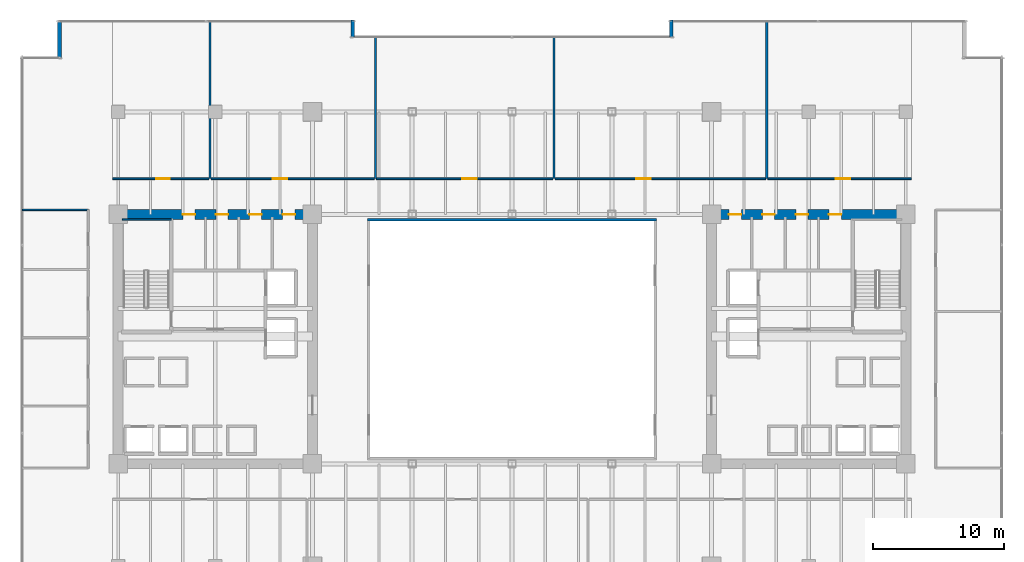
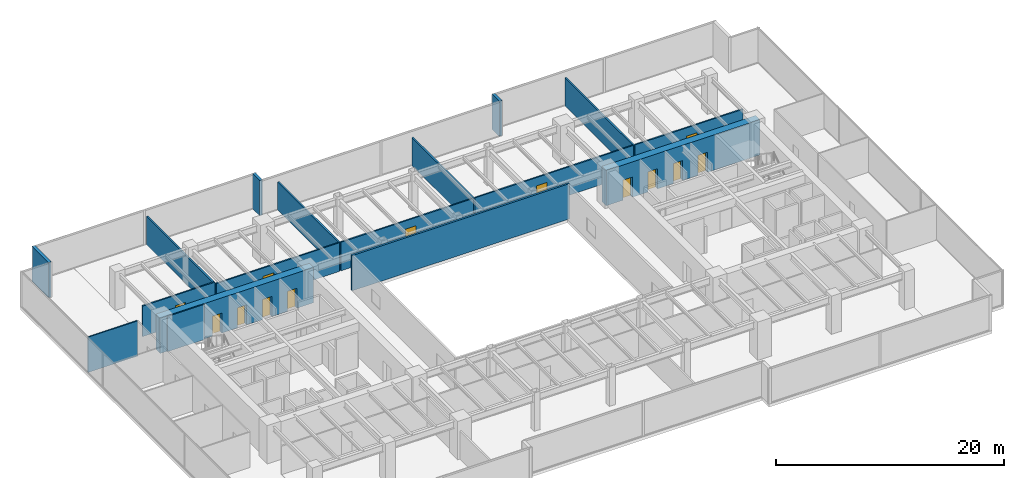
# One storey, part 31 of 36: 17 walls, 13 doors, 13 openings.
"""IFC4 building model written with IfcOpenShell, lengths in metres."""

from ifc_helpers import new_model, si_unit, direction, frame, frame_2d, origin, place, context, subcontext, project, spatial, rectangle, extrude, source, transform, mapped, material, layer, layer_set, type_object, type_shapes, element, fill, save


model = new_model("IFC4")

# Units and contexts
model_context = context("Model", 3, precision=1e-05, world=origin(), true_north=direction((0.0, 1.0)))
body_context = subcontext(model_context, "Body", "Model", "MODEL_VIEW")
ifc_project = project(units=[si_unit("LENGTHUNIT", "METRE"), si_unit("AREAUNIT", "SQUARE_METRE"), si_unit("VOLUMEUNIT", "CUBIC_METRE"), si_unit("PLANEANGLEUNIT", "RADIAN"), si_unit("MASSUNIT", "GRAM", prefix="KILO")], contexts=[model_context])

# Site, building, storey
site_placement = place(None, origin())
site = spatial("IfcSite", under=ifc_project, at=site_placement, CompositionType="ELEMENT")
building_placement = place(site_placement, origin())
building = spatial("IfcBuilding", under=site, at=building_placement, Name="Haelvirn Gate Laboratories", CompositionType="ELEMENT")
storey_placement = place(building_placement, frame((0.0, 0.0, 49.800048828125)))
storey = spatial("IfcBuildingStorey", under=building, at=storey_placement, Name="L12", CompositionType="ELEMENT", Elevation=49.800048828125)

# Walls
ifc_material_1 = material(Name="Thermally-broken bronze aluminium rainscreen & mineral wool", Category="aluminium")
ifc_layer_1 = layer(ifc_material_1, 0.280029296875, Name="EW-TERR-280")
ifc_layer_set_1 = layer_set([ifc_layer_1], Name="Thermally-broken bronze aluminium rainscreen & mineral wool")
wall_type_1 = type_object("IfcWallType", Name="EW-TERR-280", PredefinedType="STANDARD", material=ifc_layer_set_1)
for number, where, z_axis, x_axis, name in (
    (1, (49.5400390625, 48.60009765625, 0.0), (0.0, 0.0, 1.0), (0.0, -1.0, 0.0), "L12 Atrium Recess Bronze Return Wall 11"),
    (2, (25.260009765625, 47.31201171875, 0.0), (0.0, 0.0, 1.0), (0.0, 1.0, 0.0), "L12 Atrium Recess Bronze Return Wall 13"),
):
    element("IfcWall", number, at=place(storey_placement, frame(where, z_axis=z_axis, x_axis=x_axis)), inside=storey, type_object=wall_type_1, Name=name, PredefinedType="STANDARD", context=body_context, shape_type="SweptSolid", body=[
        extrude(rectangle(XDim=1.2880859375, YDim=0.280029296875, at=frame_2d((0.64404296875, 0.0))), origin(), (0.0, 0.0, 1.0), 3.780029296875),
    ])
wall_1_placement = place(storey_placement, frame((2.93994140625, 48.60009765625, 0.0), z_axis=(0.0, 0.0, 1.0), x_axis=(0.0, -1.0, 0.0)))
element("IfcWall", 3, at=wall_1_placement, inside=storey, type_object=wall_type_1, Name="L12 Atrium Recess Bronze Return Wall 15", PredefinedType="STANDARD", context=body_context, shape_type="SweptSolid", body=[
    extrude(rectangle(XDim=2.88818359375, YDim=0.280029296875, at=frame_2d((1.444091796875, 0.0))), origin(), (0.0, 0.0, 1.0), 3.780029296875),
])
ifc_material_2 = material(Name="Double-layer acoustic gypsum laboratory partition", Category="gypsum")
ifc_layer_2 = layer(ifc_material_2, 0.159912109375, Name="IW-ACOUST-160")
ifc_layer_set_2 = layer_set([ifc_layer_2], Name="Double-layer acoustic gypsum laboratory partition")
wall_type_2 = type_object("IfcWallType", Name="IW-ACOUST-160", PredefinedType="PARTITIONING", material=ifc_layer_set_2)
wall_2_placement = place(storey_placement, frame((14.39990234375, 36.510009765625, 0.0), z_axis=(0.0, 0.0, 1.0), x_axis=(0.0, 1.0, 0.0)))
element("IfcWall", 4, at=wall_2_placement, inside=storey, type_object=wall_type_2, Name="L12 Interior Wall IW-L12-NDIV-01", PredefinedType="PARTITIONING", context=body_context, shape_type="SweptSolid", body=[
    extrude(rectangle(XDim=11.97998046875, YDim=0.159912109375, at=frame_2d((5.989990234375, 0.0))), origin(), (0.0, 0.0, 1.0), 3.014892578125),
])
for number, where, z_axis, x_axis, name in (
    (5, (27.0, 36.510009765625, 0.0), (0.0, 0.0, 1.0), (0.0, 1.0, 0.0), "L12 Interior Wall IW-L12-NDIV-02"),
    (6, (40.60009765625, 36.510009765625, 0.0), (0.0, 0.0, 1.0), (0.0, 1.0, 0.0), "L12 Interior Wall IW-L12-NDIV-03"),
):
    element("IfcWall", number, at=place(storey_placement, frame(where, z_axis=z_axis, x_axis=x_axis)), inside=storey, type_object=wall_type_2, Name=name, PredefinedType="PARTITIONING", context=body_context, shape_type="SweptSolid", body=[
        extrude(rectangle(XDim=10.780029296875, YDim=0.159912109375, at=frame_2d((5.39013671875, 0.0))), origin(), (0.0, 0.0, 1.0), 3.014892578125),
    ])
wall_3_placement = place(storey_placement, frame((56.800048828125, 36.510009765625, 0.0), z_axis=(0.0, 0.0, 1.0), x_axis=(0.0, 1.0, 0.0)))
element("IfcWall", 7, at=wall_3_placement, inside=storey, type_object=wall_type_2, Name="L12 Interior Wall IW-L12-NDIV-04", PredefinedType="PARTITIONING", context=body_context, shape_type="SweptSolid", body=[
    extrude(rectangle(XDim=11.97998046875, YDim=0.159912109375, at=frame_2d((5.989990234375, 0.0))), origin(), (0.0, 0.0, 1.0), 3.014892578125),
])
ifc_material_3 = material(Name="Tempered fire-rated borosilicate glass & anodised aluminium", Category="aluminium")
ifc_layer_3 = layer(ifc_material_3, 0.195068359375, Name="IW-GLAZ-200")
ifc_layer_set_3 = layer_set([ifc_layer_3], Name="Tempered fire-rated borosilicate glass & anodised aluminium")
wall_type_3 = type_object("IfcWallType", Name="IW-GLAZ-200", PredefinedType="SOLIDWALL", material=ifc_layer_set_3)
wall_4_placement = place(storey_placement, frame((26.39990234375, 33.39990234375, 0.0), z_axis=(0.0, 0.0, 1.0), x_axis=(1.0, 0.0, 0.0)))
element("IfcWall", 8, at=wall_4_placement, inside=storey, type_object=wall_type_3, Name="L12 Interior Wall IW-L12-ATRIUM-N", PredefinedType="SOLIDWALL", context=body_context, shape_type="SweptSolid", body=[
    extrude(rectangle(XDim=22.0, YDim=0.195068359375, at=frame_2d((11.0, 0.0))), origin(), (0.0, 0.0, 1.0), 3.780029296875),
])
ifc_material_4 = material(Name="Lightweight acoustic gypsum board partition", Category="gypsum")
ifc_layer_4 = layer(ifc_material_4, 0.1201171875, Name="IW-PART-120")
ifc_layer_set_4 = layer_set([ifc_layer_4], Name="Lightweight acoustic gypsum board partition")
wall_type_4 = type_object("IfcWallType", Name="IW-PART-120", PredefinedType="PARTITIONING", material=ifc_layer_set_4)
wall_5_placement = place(storey_placement, frame((0.110107421875, 34.135009765625, 0.0), z_axis=(0.0, 0.0, 1.0), x_axis=(1.0, 0.0, 0.0)))
element("IfcWall", 9, at=wall_5_placement, inside=storey, type_object=wall_type_4, Name="L12 Interior Wall IW-L12-WCAP-N", PredefinedType="PARTITIONING", context=body_context, shape_type="SweptSolid", body=[
    extrude(rectangle(XDim=5.019775390625, YDim=0.1201171875, at=frame_2d((2.509765625, 0.0))), origin(), (0.0, 0.0, 1.0), 3.780029296875),
])

# Wall, opening, door
ifc_material_5 = material(Name="Acoustic mineral-wool gypsum board partition", Category="gypsum")
ifc_layer_5 = layer(ifc_material_5, 0.139892578125, Name="IW-PART-140")
ifc_layer_set_5 = layer_set([ifc_layer_5], Name="Acoustic mineral-wool gypsum board partition")
wall_type_5 = type_object("IfcWallType", Name="IW-PART-140", PredefinedType="PARTITIONING", material=ifc_layer_set_5)
wall_6_placement = place(storey_placement, frame((6.97998046875, 36.510009765625, 0.0), z_axis=(0.0, 0.0, 1.0), x_axis=(1.0, 0.0, 0.0)))
wall_6 = element("IfcWall", 10, at=wall_6_placement, inside=storey, type_object=wall_type_5, Name="L12 Interior Wall IW-L12-NCORR-01", PredefinedType="PARTITIONING", context=body_context, shape_type="SweptSolid", body=[
    extrude(rectangle(XDim=7.340087890625, YDim=0.139892578125, at=frame_2d((3.669921875, 0.0))), origin(), (0.0, 0.0, 1.0), 3.264892578125),
])
opening_1_placement = place(wall_6_placement, frame((3.339111328125, 0.0, 0.0)))
opening_1 = element("IfcOpeningElement", 11, at=opening_1_placement, cuts=wall_6, Name="Opening D2", PredefinedType="OPENING", context=body_context, shape_type="SweptSolid", body=[
    extrude(rectangle(XDim=1.0, YDim=2.14990234375, at=frame_2d((0.5, 1.074951171875))), frame((0.0, 0.080078125, 0.0), z_axis=(0.0, -1.0, 0.0), x_axis=(1.0, 0.0, 0.0)), (0.0, 0.0, 1.0), 0.159912109375),
])
ifc_material_6 = material(Name="Acoustic solid-core timber suite door", Category="wood")
door_type_1 = type_object("IfcDoorType", Name="DR-INT-1000", OperationType="NOTDEFINED", PredefinedType="DOOR", material=ifc_material_6)
shared_shape_1 = source(origin(), body_context, "Body", "SweptSolid", [
    extrude(rectangle(XDim=1.0, YDim=2.14990234375, at=frame_2d((0.5, 1.074951171875))), frame((0.0, 0.02490234375, 0.0), z_axis=(0.0, -1.0, 0.0), x_axis=(1.0, 0.0, 0.0)), (0.0, 0.0, 1.0), 0.050048828125),
])
type_shapes(door_type_1, [shared_shape_1])
door_1_placement = place(opening_1_placement, origin())
door_1 = element("IfcDoor", 12, at=door_1_placement, inside=storey, type_object=door_type_1, Name="L12 Floor Hydration & Tea Servery Door N1", OperationType="SINGLE_SWING_RIGHT", OverallHeight=2.14990234375, OverallWidth=1.0, PredefinedType="DOOR", context=body_context, shape_type="MappedRepresentation", body=[
    mapped(shared_shape_1, transform((0.0, 0.0, 0.0), scale=1.0)),
])
fill(opening_1, door_1)

wall_7_placement = place(storey_placement, frame((14.47998046875, 36.510009765625, 0.0), z_axis=(0.0, 0.0, 1.0), x_axis=(1.0, 0.0, 0.0)))
wall_7 = element("IfcWall", 13, at=wall_7_placement, inside=storey, type_object=wall_type_5, Name="L12 Interior Wall IW-L12-NCORR-02", PredefinedType="PARTITIONING", context=body_context, shape_type="SweptSolid", body=[
    extrude(rectangle(XDim=12.43994140625, YDim=0.139892578125, at=frame_2d((6.219970703125, 0.0))), origin(), (0.0, 0.0, 1.0), 3.06494140625),
])
opening_2_placement = place(wall_7_placement, frame((4.71240234375, 0.0, 0.0)))
opening_2 = element("IfcOpeningElement", 14, at=opening_2_placement, cuts=wall_7, Name="Opening D1", PredefinedType="OPENING", context=body_context, shape_type="SweptSolid", body=[
    extrude(rectangle(XDim=1.10009765625, YDim=2.179931640625, at=frame_2d((0.550048828125, 1.08984375))), frame((0.0, 0.080078125, 0.0), z_axis=(0.0, -1.0, 0.0), x_axis=(1.0, 0.0, 0.0)), (0.0, 0.0, 1.0), 0.159912109375),
])
ifc_material_7 = material(Name="Vision-panel acoustic solid-core timber lab door", Category="wood")
door_type_2 = type_object("IfcDoorType", Name="DR-LAB-1100", OperationType="NOTDEFINED", PredefinedType="DOOR", material=ifc_material_7)
shared_shape_2 = source(origin(), body_context, "Body", "SweptSolid", [
    extrude(rectangle(XDim=1.10009765625, YDim=2.179931640625, at=frame_2d((0.550048828125, 1.08984375))), frame((0.0, 0.02490234375, 0.0), z_axis=(0.0, -1.0, 0.0), x_axis=(1.0, 0.0, 0.0)), (0.0, 0.0, 1.0), 0.050048828125),
])
type_shapes(door_type_2, [shared_shape_2])
door_2_placement = place(opening_2_placement, origin())
door_2 = element("IfcDoor", 15, at=door_2_placement, inside=storey, type_object=door_type_2, Name="L12 Occupational Biosafety Clinic Door N2", OperationType="SINGLE_SWING_LEFT", OverallHeight=2.179931640625, OverallWidth=1.10009765625, PredefinedType="DOOR", context=body_context, shape_type="MappedRepresentation", body=[
    mapped(shared_shape_2, transform((0.0, 0.0, 0.0), scale=1.0)),
])
fill(opening_2, door_2)

wall_8_placement = place(storey_placement, frame((27.080078125, 36.510009765625, 0.0), z_axis=(0.0, 0.0, 1.0), x_axis=(1.0, 0.0, 0.0)))
wall_8 = element("IfcWall", 16, at=wall_8_placement, inside=storey, type_object=wall_type_5, Name="L12 Interior Wall IW-L12-NCORR-03", PredefinedType="PARTITIONING", context=body_context, shape_type="SweptSolid", body=[
    extrude(rectangle(XDim=13.43994140625, YDim=0.139892578125, at=frame_2d((6.719970703125, 0.0))), origin(), (0.0, 0.0, 1.0), 3.06494140625),
])
opening_3_placement = place(wall_8_placement, frame((6.519287109375, 0.0, 0.0)))
opening_3 = element("IfcOpeningElement", 17, at=opening_3_placement, cuts=wall_8, Name="Opening D1", PredefinedType="OPENING", context=body_context, shape_type="SweptSolid", body=[
    extrude(rectangle(XDim=1.10009765625, YDim=2.179931640625, at=frame_2d((0.550048828125, 1.08984375))), frame((0.0, 0.080078125, 0.0), z_axis=(0.0, -1.0, 0.0), x_axis=(1.0, 0.0, 0.0)), (0.0, 0.0, 1.0), 0.159912109375),
])
door_3_placement = place(opening_3_placement, origin())
door_3 = element("IfcDoor", 18, at=door_3_placement, inside=storey, type_object=door_type_2, Name="L12 Laser-Safety Consult Room Door N3", OperationType="SINGLE_SWING_RIGHT", OverallHeight=2.179931640625, OverallWidth=1.10009765625, PredefinedType="DOOR", context=body_context, shape_type="MappedRepresentation", body=[
    mapped(shared_shape_2, transform((0.0, 0.0, 0.0), scale=1.0)),
])
fill(opening_3, door_3)

wall_9_placement = place(storey_placement, frame((40.679931640625, 36.510009765625, 0.0), z_axis=(0.0, 0.0, 1.0), x_axis=(1.0, 0.0, 0.0)))
wall_9 = element("IfcWall", 19, at=wall_9_placement, inside=storey, type_object=wall_type_5, Name="L12 Interior Wall IW-L12-NCORR-04", PredefinedType="PARTITIONING", context=body_context, shape_type="SweptSolid", body=[
    extrude(rectangle(XDim=16.0400390625, YDim=0.139892578125, at=frame_2d((8.02001953125, 0.0))), origin(), (0.0, 0.0, 1.0), 3.06494140625),
])
opening_4_placement = place(wall_9_placement, frame((6.1884765625, 0.0, 0.0)))
opening_4 = element("IfcOpeningElement", 20, at=opening_4_placement, cuts=wall_9, Name="Opening D1", PredefinedType="OPENING", context=body_context, shape_type="SweptSolid", body=[
    extrude(rectangle(XDim=1.10009765625, YDim=2.179931640625, at=frame_2d((0.550048828125, 1.08984375))), frame((0.0, 0.080078125, 0.0), z_axis=(0.0, -1.0, 0.0), x_axis=(1.0, 0.0, 0.0)), (0.0, 0.0, 1.0), 0.159912109375),
])
door_4_placement = place(opening_4_placement, origin())
door_4 = element("IfcDoor", 21, at=door_4_placement, inside=storey, type_object=door_type_2, Name="L12 Translational Data Office Door N4", OperationType="SINGLE_SWING_LEFT", OverallHeight=2.179931640625, OverallWidth=1.10009765625, PredefinedType="DOOR", context=body_context, shape_type="MappedRepresentation", body=[
    mapped(shared_shape_2, transform((0.0, 0.0, 0.0), scale=1.0)),
])
fill(opening_4, door_4)

wall_10_placement = place(storey_placement, frame((56.8798828125, 36.510009765625, 0.0), z_axis=(0.0, 0.0, 1.0), x_axis=(1.0, 0.0, 0.0)))
wall_10 = element("IfcWall", 22, at=wall_10_placement, inside=storey, type_object=wall_type_5, Name="L12 Interior Wall IW-L12-NCORR-05", PredefinedType="PARTITIONING", context=body_context, shape_type="SweptSolid", body=[
    extrude(rectangle(XDim=10.940185546875, YDim=0.139892578125, at=frame_2d((5.47021484375, 0.0))), origin(), (0.0, 0.0, 1.0), 3.06494140625),
])
opening_5_placement = place(wall_10_placement, frame((5.194091796875, 0.0, 0.0)))
opening_5 = element("IfcOpeningElement", 23, at=opening_5_placement, cuts=wall_10, Name="Opening D1", PredefinedType="OPENING", context=body_context, shape_type="SweptSolid", body=[
    extrude(rectangle(XDim=1.10009765625, YDim=2.179931640625, at=frame_2d((0.550048828125, 1.08984375))), frame((0.0, 0.080078125, 0.0), z_axis=(0.0, -1.0, 0.0), x_axis=(1.0, 0.0, 0.0)), (0.0, 0.0, 1.0), 0.159912109375),
])
door_5_placement = place(opening_5_placement, origin())
door_5 = element("IfcDoor", 24, at=door_5_placement, inside=storey, type_object=door_type_2, Name="L12 Computational Write-Up Office Door N5", OperationType="SINGLE_SWING_RIGHT", OverallHeight=2.179931640625, OverallWidth=1.10009765625, PredefinedType="DOOR", context=body_context, shape_type="MappedRepresentation", body=[
    mapped(shared_shape_2, transform((0.0, 0.0, 0.0), scale=1.0)),
])
fill(opening_5, door_5)

# Wall, openings, doors
ifc_material_8 = material(Name="Concrete C70/85", Category="concrete")
ifc_layer_6 = layer(ifc_material_8, 0.75, Name="SW-CORE-750")
ifc_layer_set_6 = layer_set([ifc_layer_6], Name="Concrete C70/85")
wall_type_6 = type_object("IfcWallType", Name="SW-CORE-750", PredefinedType="SHEAR", material=ifc_layer_set_6)
wall_11_placement = place(storey_placement, frame((7.02490234375, 33.800048828125, 0.0), z_axis=(0.0, 0.0, 1.0), x_axis=(1.0, 0.0, 0.0)))
wall_11 = element("IfcWall", 25, at=wall_11_placement, inside=storey, type_object=wall_type_6, Name="L12 W Core Shear Wall N", PredefinedType="SHEAR", context=body_context, shape_type="SweptSolid", body=[
    extrude(rectangle(XDim=15.550048828125, YDim=0.75, at=frame_2d((7.77490234375, 0.0))), origin(), (0.0, 0.0, 1.0), 3.780029296875),
])
opening_6_placement = place(wall_11_placement, frame((5.300048828125, 0.0, 0.0)))
opening_6 = element("IfcOpeningElement", 26, at=opening_6_placement, cuts=wall_11, Name="Opening FD4", PredefinedType="OPENING", context=body_context, shape_type="SweptSolid", body=[
    extrude(rectangle(XDim=0.949951171875, YDim=2.14990234375, at=frame_2d((0.47509765625, 1.074951171875))), frame((0.0, 0.385009765625, 0.0), z_axis=(0.0, -1.0, 0.0), x_axis=(1.0, 0.0, 0.0)), (0.0, 0.0, 1.0), 0.77001953125),
])
opening_7_placement = place(wall_11_placement, frame((7.81494140625, 0.0, 0.0)))
opening_7 = element("IfcOpeningElement", 27, at=opening_7_placement, cuts=wall_11, Name="Opening FD4", PredefinedType="OPENING", context=body_context, shape_type="SweptSolid", body=[
    extrude(rectangle(XDim=0.949951171875, YDim=2.14990234375, at=frame_2d((0.47509765625, 1.074951171875))), frame((0.0, 0.385009765625, 0.0), z_axis=(0.0, -1.0, 0.0), x_axis=(1.0, 0.0, 0.0)), (0.0, 0.0, 1.0), 0.77001953125),
])
opening_8_placement = place(wall_11_placement, frame((10.364990234375, 0.0, 0.0)))
opening_8 = element("IfcOpeningElement", 28, at=opening_8_placement, cuts=wall_11, Name="Opening FD4", PredefinedType="OPENING", context=body_context, shape_type="SweptSolid", body=[
    extrude(rectangle(XDim=0.949951171875, YDim=2.14990234375, at=frame_2d((0.47509765625, 1.074951171875))), frame((0.0, 0.385009765625, 0.0), z_axis=(0.0, -1.0, 0.0), x_axis=(1.0, 0.0, 0.0)), (0.0, 0.0, 1.0), 0.77001953125),
])
opening_9_placement = place(wall_11_placement, frame((12.9150390625, 0.0, 0.0)))
opening_9 = element("IfcOpeningElement", 29, at=opening_9_placement, cuts=wall_11, Name="Opening FD4", PredefinedType="OPENING", context=body_context, shape_type="SweptSolid", body=[
    extrude(rectangle(XDim=0.949951171875, YDim=2.14990234375, at=frame_2d((0.47509765625, 1.074951171875))), frame((0.0, 0.385009765625, 0.0), z_axis=(0.0, -1.0, 0.0), x_axis=(1.0, 0.0, 0.0)), (0.0, 0.0, 1.0), 0.77001953125),
])
ifc_material_9 = material(Name="Fire-rated steel SM355 core service door", Category="steel")
door_type_3 = type_object("IfcDoorType", Name="DR-FD-950", OperationType="NOTDEFINED", PredefinedType="DOOR", material=ifc_material_9)
shared_shape_3 = source(origin(), body_context, "Body", "SweptSolid", [
    extrude(rectangle(XDim=0.949951171875, YDim=2.14990234375, at=frame_2d((0.47509765625, 1.074951171875))), frame((0.0, 0.02490234375, 0.0), z_axis=(0.0, -1.0, 0.0), x_axis=(1.0, 0.0, 0.0)), (0.0, 0.0, 1.0), 0.050048828125),
])
type_shapes(door_type_3, [shared_shape_3])
door_6_placement = place(opening_6_placement, origin())
door_6 = element("IfcDoor", 30, at=door_6_placement, inside=storey, type_object=door_type_3, Name="L12 Male Restroom Fire Door", OperationType="SINGLE_SWING_LEFT", OverallHeight=2.14990234375, OverallWidth=0.949951171875, PredefinedType="DOOR", context=body_context, shape_type="MappedRepresentation", body=[
    mapped(shared_shape_3, transform((0.0, 0.0, 0.0), scale=1.0)),
])
fill(opening_6, door_6)
door_7_placement = place(opening_7_placement, origin())
door_7 = element("IfcDoor", 31, at=door_7_placement, inside=storey, type_object=door_type_3, Name="L12 Female Restroom Fire Door", OperationType="SINGLE_SWING_RIGHT", OverallHeight=2.14990234375, OverallWidth=0.949951171875, PredefinedType="DOOR", context=body_context, shape_type="MappedRepresentation", body=[
    mapped(shared_shape_3, transform((0.0, 0.0, 0.0), scale=1.0)),
])
fill(opening_7, door_7)
door_8_placement = place(opening_8_placement, origin())
door_8 = element("IfcDoor", 32, at=door_8_placement, inside=storey, type_object=door_type_3, Name="L12 Accessible Restroom Fire Door", OperationType="SINGLE_SWING_LEFT", OverallHeight=2.14990234375, OverallWidth=0.949951171875, PredefinedType="DOOR", context=body_context, shape_type="MappedRepresentation", body=[
    mapped(shared_shape_3, transform((0.0, 0.0, 0.0), scale=1.0)),
])
fill(opening_8, door_8)
door_9_placement = place(opening_9_placement, origin())
door_9 = element("IfcDoor", 33, at=door_9_placement, inside=storey, type_object=door_type_3, Name="L12 Decontamination Shower Washroom Fire Door", OperationType="SINGLE_SWING_RIGHT", OverallHeight=2.14990234375, OverallWidth=0.949951171875, PredefinedType="DOOR", context=body_context, shape_type="MappedRepresentation", body=[
    mapped(shared_shape_3, transform((0.0, 0.0, 0.0), scale=1.0)),
])
fill(opening_9, door_9)

wall_12_placement = place(storey_placement, frame((52.22509765625, 33.800048828125, 0.0), z_axis=(0.0, 0.0, 1.0), x_axis=(1.0, 0.0, 0.0)))
wall_12 = element("IfcWall", 34, at=wall_12_placement, inside=storey, type_object=wall_type_6, Name="L12 E Core Shear Wall N", PredefinedType="SHEAR", context=body_context, shape_type="SweptSolid", body=[
    extrude(rectangle(XDim=15.5498046875, YDim=0.75, at=frame_2d((7.77490234375, 0.0))), origin(), (0.0, 0.0, 1.0), 3.780029296875),
])
opening_10_placement = place(wall_12_placement, frame((9.300048828125, 0.0, 0.0)))
opening_10 = element("IfcOpeningElement", 35, at=opening_10_placement, cuts=wall_12, Name="Opening FD4", PredefinedType="OPENING", context=body_context, shape_type="SweptSolid", body=[
    extrude(rectangle(XDim=0.949951171875, YDim=2.14990234375, at=frame_2d((0.47509765625, 1.074951171875))), frame((0.0, 0.385009765625, 0.0), z_axis=(0.0, -1.0, 0.0), x_axis=(1.0, 0.0, 0.0)), (0.0, 0.0, 1.0), 0.77001953125),
])
opening_11_placement = place(wall_12_placement, frame((6.784912109375, 0.0, 0.0)))
opening_11 = element("IfcOpeningElement", 36, at=opening_11_placement, cuts=wall_12, Name="Opening FD4", PredefinedType="OPENING", context=body_context, shape_type="SweptSolid", body=[
    extrude(rectangle(XDim=0.949951171875, YDim=2.14990234375, at=frame_2d((0.47509765625, 1.074951171875))), frame((0.0, 0.385009765625, 0.0), z_axis=(0.0, -1.0, 0.0), x_axis=(1.0, 0.0, 0.0)), (0.0, 0.0, 1.0), 0.77001953125),
])
opening_12_placement = place(wall_12_placement, frame((4.235107421875, 0.0, 0.0)))
opening_12 = element("IfcOpeningElement", 37, at=opening_12_placement, cuts=wall_12, Name="Opening FD4", PredefinedType="OPENING", context=body_context, shape_type="SweptSolid", body=[
    extrude(rectangle(XDim=0.949951171875, YDim=2.14990234375, at=frame_2d((0.47509765625, 1.074951171875))), frame((0.0, 0.385009765625, 0.0), z_axis=(0.0, -1.0, 0.0), x_axis=(1.0, 0.0, 0.0)), (0.0, 0.0, 1.0), 0.77001953125),
])
opening_13_placement = place(wall_12_placement, frame((1.68505859375, 0.0, 0.0)))
opening_13 = element("IfcOpeningElement", 38, at=opening_13_placement, cuts=wall_12, Name="Opening FD4", PredefinedType="OPENING", context=body_context, shape_type="SweptSolid", body=[
    extrude(rectangle(XDim=0.949951171875, YDim=2.14990234375, at=frame_2d((0.47509765625, 1.074951171875))), frame((0.0, 0.385009765625, 0.0), z_axis=(0.0, -1.0, 0.0), x_axis=(1.0, 0.0, 0.0)), (0.0, 0.0, 1.0), 0.77001953125),
])
door_10_placement = place(opening_10_placement, origin())
door_10 = element("IfcDoor", 39, at=door_10_placement, inside=storey, type_object=door_type_3, Name="L12 Male Restroom Fire Door", OperationType="SINGLE_SWING_LEFT", OverallHeight=2.14990234375, OverallWidth=0.949951171875, PredefinedType="DOOR", context=body_context, shape_type="MappedRepresentation", body=[
    mapped(shared_shape_3, transform((0.0, 0.0, 0.0), scale=1.0)),
])
fill(opening_10, door_10)
door_11_placement = place(opening_11_placement, origin())
door_11 = element("IfcDoor", 40, at=door_11_placement, inside=storey, type_object=door_type_3, Name="L12 Female Restroom Fire Door", OperationType="SINGLE_SWING_RIGHT", OverallHeight=2.14990234375, OverallWidth=0.949951171875, PredefinedType="DOOR", context=body_context, shape_type="MappedRepresentation", body=[
    mapped(shared_shape_3, transform((0.0, 0.0, 0.0), scale=1.0)),
])
fill(opening_11, door_11)
door_12_placement = place(opening_12_placement, origin())
door_12 = element("IfcDoor", 41, at=door_12_placement, inside=storey, type_object=door_type_3, Name="L12 Accessible Restroom Fire Door", OperationType="SINGLE_SWING_LEFT", OverallHeight=2.14990234375, OverallWidth=0.949951171875, PredefinedType="DOOR", context=body_context, shape_type="MappedRepresentation", body=[
    mapped(shared_shape_3, transform((0.0, 0.0, 0.0), scale=1.0)),
])
fill(opening_12, door_12)
door_13_placement = place(opening_13_placement, origin())
door_13 = element("IfcDoor", 42, at=door_13_placement, inside=storey, type_object=door_type_3, Name="L12 Decontamination Shower Washroom Fire Door", OperationType="SINGLE_SWING_RIGHT", OverallHeight=2.14990234375, OverallWidth=0.949951171875, PredefinedType="DOOR", context=body_context, shape_type="MappedRepresentation", body=[
    mapped(shared_shape_3, transform((0.0, 0.0, 0.0), scale=1.0)),
])
fill(opening_13, door_13)

# Wall
ifc_material_10 = material(Name="Concrete C50/60", Category="concrete")
ifc_layer_7 = layer(ifc_material_10, 0.1201171875, Name="SW-LINER-120")
ifc_layer_set_7 = layer_set([ifc_layer_7], Name="Concrete C50/60")
wall_type_7 = type_object("IfcWallType", Name="SW-LINER-120", PredefinedType="SOLIDWALL", material=ifc_layer_set_7)
wall_13_placement = place(storey_placement, frame((7.72998046875, 33.39990234375, 0.0), z_axis=(0.0, 0.0, 1.0), x_axis=(1.0, 0.0, 0.0)))
element("IfcWall", 43, at=wall_13_placement, inside=storey, type_object=wall_type_7, Name="L12 W Core Stair Shaft Liner Wall N", PredefinedType="SOLIDWALL", context=body_context, shape_type="SweptSolid", body=[
    extrude(rectangle(XDim=3.719970703125, YDim=0.1201171875, at=frame_2d((1.85986328125, 0.0))), origin(), (0.0, 0.0, 1.0), 3.780029296875),
])

save(model, "model.ifc")
